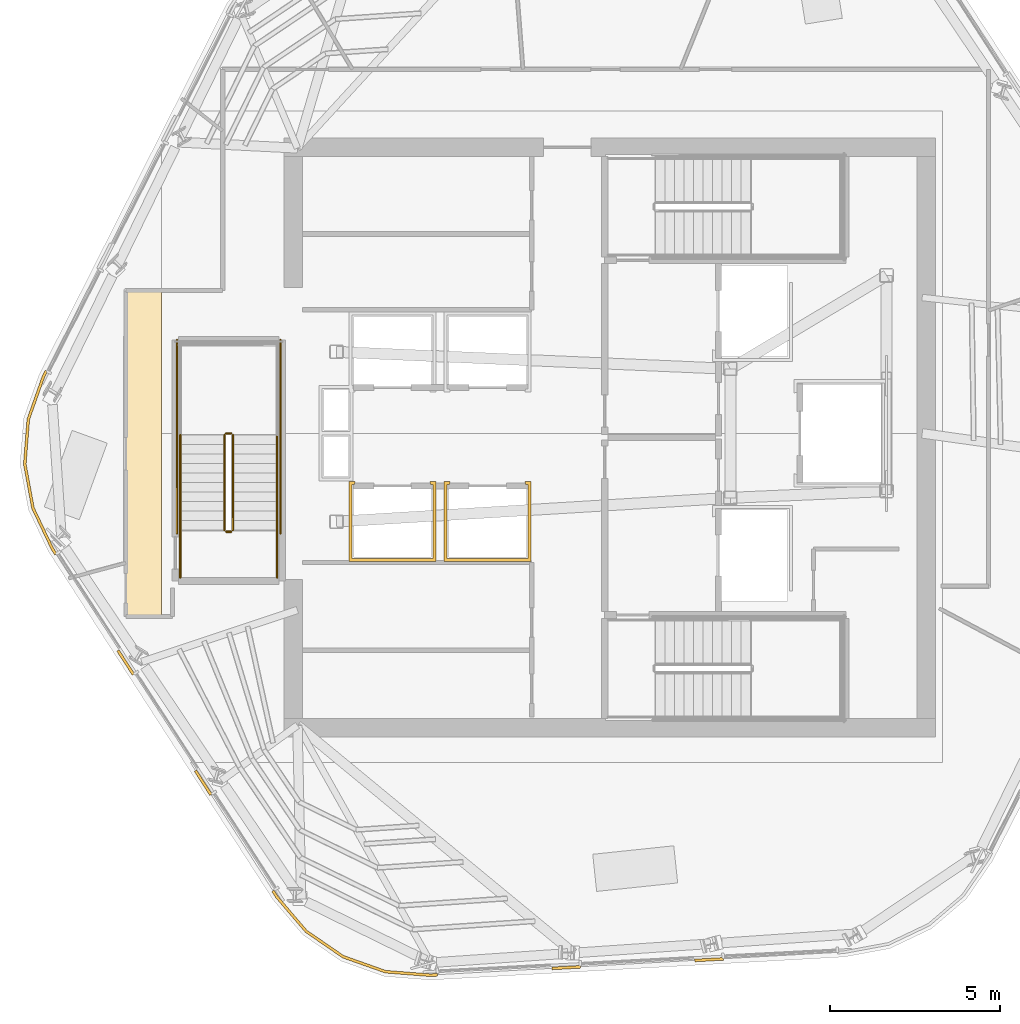
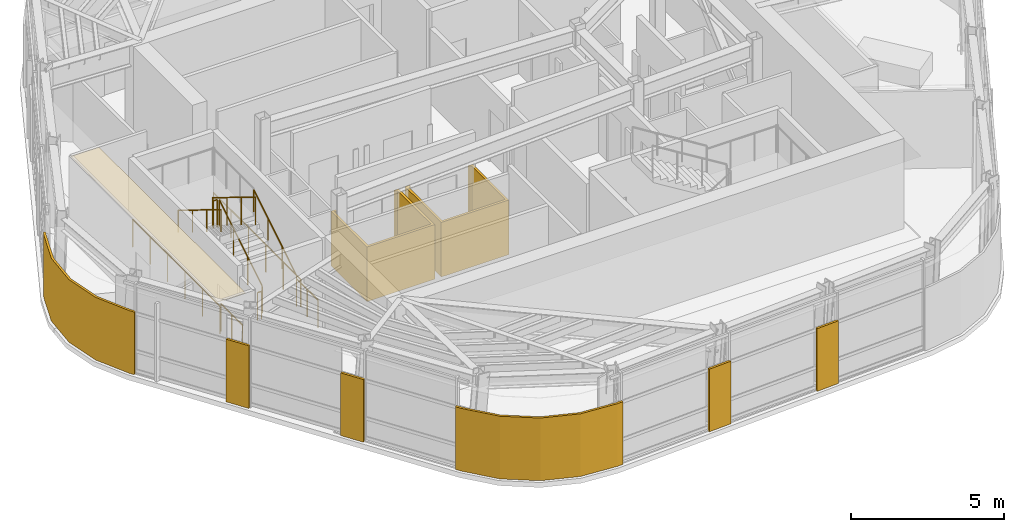
# One storey, part 9 of 13: 10 railings, 9 coverings.
"""IFC4 building model written with IfcOpenShell, lengths in metres."""

import ifcopenshell
import ifcopenshell.guid

model = None  # the IFC model being written
_history = None  # IfcOwnerHistory: only IFC2X3 demands one
_inside = {}  # id of a spatial element -> (the spatial element, [elements in it])
_under = {}  # id of a project, library or spatial element -> (it, [spatial elements below it])
_declared = {}  # id of a project -> (the project, [libraries it declares])
_typed = {}  # id of a type object -> (the type object, [elements of that type])
_made_of = {}  # id of a material, layer set ... -> (it, [elements and type objects made of it])


def new_model(schema):
    """Start an empty IFC model of exactly this schema.

    Asked for "IFC4X3", IfcOpenShell would pick the latest addendum, in which some entities
    have other attributes; the version numbers below select the first issue.
    IFC2X3 requires an IfcOwnerHistory on every rooted entity: one is made here for all.
    """
    global model, _history
    if schema == "IFC4X3":
        model = ifcopenshell.file(schema_version=(4, 3, 0, 0))
    else:
        model = ifcopenshell.file(schema=schema)
    _inside.clear()
    _under.clear()
    _declared.clear()
    _typed.clear()
    _made_of.clear()
    _history = None
    if model.schema == "IFC2X3":
        org = make("IfcOrganization", Name="unknown")
        user = make(
            "IfcPersonAndOrganization",
            ThePerson=make("IfcPerson", FamilyName="unknown"),
            TheOrganization=org,
        )
        app = make(
            "IfcApplication",
            ApplicationDeveloper=org,
            Version="unknown",
            ApplicationFullName="unknown",
            ApplicationIdentifier="unknown",
        )
        _history = make(
            "IfcOwnerHistory",
            OwningUser=user,
            OwningApplication=app,
            ChangeAction="ADDED",
            CreationDate=0,
        )
    return model


def make(cls, **values):
    """One entity of the class cls with the attributes given. An attribute that is None is left unset."""
    return model.create_entity(
        cls, **{name: value for name, value in values.items() if value is not None}
    )


def rooted(cls, **values):
    """An entity with a GlobalId (a new one), such as an element, a storey or a relation."""
    return make(cls, GlobalId=ifcopenshell.guid.new(), OwnerHistory=_history, **values)


def si_unit(unit_type, name, prefix=None):
    """IfcSIUnit, for example si_unit("LENGTHUNIT", "METRE", prefix="MILLI")."""
    return make("IfcSIUnit", UnitType=unit_type, Prefix=prefix, Name=name)


def assignment(units):
    """IfcUnitAssignment: the units of a project."""
    return None if units is None else make("IfcUnitAssignment", Units=units)


def point(xyz):
    """IfcCartesianPoint."""
    return None if xyz is None else make("IfcCartesianPoint", Coordinates=xyz)


def direction(xyz):
    """IfcDirection."""
    return None if xyz is None else make("IfcDirection", DirectionRatios=xyz)


def frame(location, z_axis=None, x_axis=None):
    """IfcAxis2Placement3D, a coordinate frame: its origin and axes. An axis left out is left unset."""
    return make(
        "IfcAxis2Placement3D",
        Location=point(location),
        Axis=direction(z_axis),
        RefDirection=direction(x_axis),
    )


def frame_2d(location, x_axis=None):
    """IfcAxis2Placement2D, a coordinate frame in the plane: its origin and x axis."""
    return make(
        "IfcAxis2Placement2D", Location=point(location), RefDirection=direction(x_axis)
    )


def origin():
    """The frame at (0, 0, 0) with its axes left unset."""
    return frame((0.0, 0.0, 0.0))


def origin_2d():
    """The frame at (0, 0) in the plane with its x axis left unset."""
    return frame_2d((0.0, 0.0))


def place(relative_to, where):
    """IfcLocalPlacement: puts the frame where relative to a parent placement (None: the world)."""
    return make(
        "IfcLocalPlacement", PlacementRelTo=relative_to, RelativePlacement=where
    )


def context(
    kind, dimensions, precision=None, world=None, true_north=None, identifier=None
):
    """IfcGeometricRepresentationContext, for example the 3D "Model" context."""
    return make(
        "IfcGeometricRepresentationContext",
        ContextIdentifier=identifier,
        ContextType=kind,
        CoordinateSpaceDimension=dimensions,
        Precision=precision,
        WorldCoordinateSystem=world,
        TrueNorth=true_north,
    )


def subcontext(parent, identifier, kind, view, scale=None):
    """IfcGeometricRepresentationSubContext, for example "Body" below "Model"."""
    return make(
        "IfcGeometricRepresentationSubContext",
        ContextIdentifier=identifier,
        ContextType=kind,
        ParentContext=parent,
        TargetScale=scale,
        TargetView=view,
    )


def project(units=None, contexts=None):
    """IfcProject with its units and contexts."""
    return rooted(
        "IfcProject",
        Name="project",
        RepresentationContexts=contexts,
        UnitsInContext=assignment(units),
    )


def spatial(cls, under=None, at=None, **own):
    """A site, building, storey or space (cls), placed at a placement, below another one or the project."""
    s = rooted(cls, ObjectPlacement=at, **own)
    if under is not None:
        _under.setdefault(under.id(), (under, []))[1].append(s)
    return s


def polyline(points):
    """IfcPolyline through the points."""
    return make("IfcPolyline", Points=[point(p) for p in points])


def profile(cls, at=None, kind="AREA", **sizes):
    """A parametric profile (cls). Its sizes go by their IFC names, for example OverallWidth=200.0."""
    return make(cls, ProfileType=kind, Position=at, **sizes)


def circle(**sizes):
    """IfcCircleProfileDef."""
    return profile("IfcCircleProfileDef", **sizes)


def outline(outer, holes=None, kind="AREA"):
    """IfcArbitraryClosedProfileDef: a profile drawn as a closed curve; with holes, ...WithVoids."""
    if holes is None:
        return make("IfcArbitraryClosedProfileDef", ProfileType=kind, OuterCurve=outer)
    return make(
        "IfcArbitraryProfileDefWithVoids",
        ProfileType=kind,
        OuterCurve=outer,
        InnerCurves=holes,
    )


def extrude(swept, where, along, depth):
    """IfcExtrudedAreaSolid: the profile swept, set in the frame where, extruded along a direction by depth."""
    return make(
        "IfcExtrudedAreaSolid",
        SweptArea=swept,
        Position=where,
        ExtrudedDirection=direction(along),
        Depth=depth,
    )


def shape(context_of_items, identifier, shape_type, items):
    """IfcShapeRepresentation: the items that make up one representation, for example the "Body"."""
    return make(
        "IfcShapeRepresentation",
        ContextOfItems=context_of_items,
        RepresentationIdentifier=identifier,
        RepresentationType=shape_type,
        Items=items,
    )


def material(Name=None, Category=None):
    """IfcMaterial."""
    return make("IfcMaterial", Name=Name, Category=Category)


def layer(
    of_material, thickness, ventilated=None, Name=None, Category=None, Priority=None
):
    """IfcMaterialLayer: one layer of a wall or slab, of a material (None: an air gap)."""
    return make(
        "IfcMaterialLayer",
        Material=of_material,
        LayerThickness=thickness,
        IsVentilated=ventilated,
        Name=Name,
        Category=Category,
        Priority=Priority,
    )


def layer_set(layers, Name=None):
    """IfcMaterialLayerSet."""
    return make("IfcMaterialLayerSet", MaterialLayers=layers, LayerSetName=Name)


def made_of(thing, what):
    """Note that an element or type object is made of a material, layer set ...; save() writes the relation."""
    if what is not None:
        _made_of.setdefault(what.id(), (what, []))[1].append(thing)
    return thing


def type_object(cls, material=None, **own):
    """A type object (cls), such as IfcWallType, which elements share."""
    return made_of(rooted(cls, **own), material)


def element(
    cls,
    number,
    at=None,
    inside=None,
    cuts=None,
    type_object=None,
    material=None,
    context=None,
    identifier="Body",
    shape_type=None,
    held_by="IfcProductDefinitionShape",
    body=None,
    shapes=None,
    **own,
):
    """One element of the class cls, such as IfcWall. Its Tag is "e" and its number.

    at: its placement. inside: the storey or other place that contains it. cuts: it is an
    opening in that element (IfcRelVoidsElement). A single representation is given by context,
    identifier, shape_type and body (its items); several are given by shapes. held_by: the class
    of the entity that holds the representations. save() writes the other relations.
    """
    e = rooted(cls, Tag="e%d" % number, ObjectPlacement=at, **own)
    if body is not None:
        shapes = [shape(context, identifier, shape_type, body)]
    if shapes is not None:
        e.Representation = make(held_by, Representations=shapes)
    if inside is not None:
        _inside.setdefault(inside.id(), (inside, []))[1].append(e)
    if cuts is not None:
        rooted(
            "IfcRelVoidsElement", RelatingBuildingElement=cuts, RelatedOpeningElement=e
        )
    if type_object is not None:
        _typed.setdefault(type_object.id(), (type_object, []))[1].append(e)
    return made_of(e, material)


def aggregate(whole, parts):
    """IfcRelAggregates: a whole, such as a stair, and the parts it consists of."""
    return rooted("IfcRelAggregates", RelatingObject=whole, RelatedObjects=parts)


def save(model, path):
    """Write the relations noted so far, then the file.

    IfcRelAggregates (storeys below a building ...), IfcRelContainedInSpatialStructure (elements
    in a storey), IfcRelDefinesByType, IfcRelAssociatesMaterial and IfcRelDeclares: one each for
    every whole, place, type object, material and project.
    """
    for whole, parts in _under.values():
        aggregate(whole, parts)
    for where, things in _inside.values():
        rooted(
            "IfcRelContainedInSpatialStructure",
            RelatedElements=things,
            RelatingStructure=where,
        )
    for kind, things in _typed.values():
        rooted("IfcRelDefinesByType", RelatedObjects=things, RelatingType=kind)
    for what, things in _made_of.values():
        rooted("IfcRelAssociatesMaterial", RelatedObjects=things, RelatingMaterial=what)
    for by, libraries in _declared.values():
        rooted("IfcRelDeclares", RelatingContext=by, RelatedDefinitions=libraries)
    model.write(path)


model = new_model("IFC4")

# Units and contexts
model_context = context("Model", 3, precision=1e-05, world=origin(), true_north=direction((0.0, 1.0)))
body_context = subcontext(model_context, "Body", "Model", "MODEL_VIEW")
ifc_project = project(units=[si_unit("LENGTHUNIT", "METRE"), si_unit("AREAUNIT", "SQUARE_METRE"), si_unit("VOLUMEUNIT", "CUBIC_METRE"), si_unit("PLANEANGLEUNIT", "RADIAN"), si_unit("MASSUNIT", "GRAM", prefix="KILO")], contexts=[model_context])

# Site, building, storey
site_placement = place(None, origin())
site = spatial("IfcSite", under=ifc_project, at=site_placement, CompositionType="ELEMENT")
building_placement = place(site_placement, origin())
building = spatial("IfcBuilding", under=site, at=building_placement, Name="Valkerne Bourse Tower", CompositionType="ELEMENT")
storey_placement = place(building_placement, frame((0.0, 0.0, 296.39990234375)))
storey = spatial("IfcBuildingStorey", under=building, at=storey_placement, Name="L75", CompositionType="ELEMENT", Elevation=296.39990234375)

# Coverings
ifc_material_1 = material(Name="Bronze Anodised Aluminium AA 6063-T6", Category="aluminium")
ifc_layer_1 = layer(ifc_material_1, 0.030029296875)
ifc_layer_set_1 = layer_set([ifc_layer_1], Name="Bronze Anodised Aluminium AA 6063-T6")
covering_type_1 = type_object("IfcCoveringType", Name="COV-CEIL-METAL", PredefinedType="CEILING", material=ifc_layer_set_1)
covering_1_placement = place(storey_placement, frame((0.0, 0.0, 3.25)))
element("IfcCovering", 1, at=covering_1_placement, inside=storey, type_object=covering_type_1, Name="L75 Suspended Ceiling 02", PredefinedType="CEILING", context=body_context, shape_type="SweptSolid", body=[
    extrude(outline(polyline([(32.553955078125, 21.60400390625), (32.553955078125, 31.196044921875), (33.60009765625, 31.196044921875), (33.60009765625, 21.60400390625), (32.553955078125, 21.60400390625)])), origin(), (0.0, 0.0, 1.0), 0.025146484375),
])
ifc_layer_2 = layer(ifc_material_1, 0.06005859375)
ifc_layer_set_2 = layer_set([ifc_layer_2], Name="Bronze Anodised Aluminium AA 6063-T6")
covering_type_2 = type_object("IfcCoveringType", Name="COV-CRN-ALUM", PredefinedType="CLADDING", material=ifc_layer_set_2)
covering_2_placement = place(storey_placement, origin())
element("IfcCovering", 2, at=covering_2_placement, inside=storey, type_object=covering_type_2, Name="L75 Wind-Shaped Corner Aluminium Cladding 05", PredefinedType="CLADDING", context=body_context, shape_type="SweptSolid", body=[
    extrude(outline(polyline([(49.30419921875, 11.43359375), (49.300048828125, 11.513427734375), (50.138671875, 11.56005859375), (50.142822265625, 11.480224609375), (49.30419921875, 11.43359375)])), origin(), (0.0, 0.0, 1.0), 2.5),
])
covering_3_placement = place(storey_placement, origin())
element("IfcCovering", 3, at=covering_3_placement, inside=storey, type_object=covering_type_2, Name="L75 Wind-Shaped Corner Aluminium Cladding 06", PredefinedType="CLADDING", context=body_context, shape_type="SweptSolid", body=[
    extrude(outline(polyline([(45.0986328125, 11.19921875), (45.094482421875, 11.279052734375), (45.93310546875, 11.32568359375), (45.937255859375, 11.245849609375), (45.0986328125, 11.19921875)])), origin(), (0.0, 0.0, 1.0), 2.5),
])
covering_4_placement = place(storey_placement, origin())
element("IfcCovering", 4, at=covering_4_placement, inside=storey, type_object=covering_type_2, Name="L75 Wind-Shaped Corner Aluminium Cladding 07", PredefinedType="CLADDING", context=body_context, shape_type="SweptSolid", body=[
    extrude(outline(polyline([(41.515380859375, 10.99951171875), (40.181884765625, 11.1044921875), (38.92724609375, 11.548583984375), (37.830078125, 12.302734375), (36.96142578125, 13.319580078125), (36.843994140625, 13.501953125), (36.9111328125, 13.54541015625), (37.025634765625, 13.36767578125), (37.88427734375, 12.362548828125), (38.9638671875, 11.62060546875), (40.19873046875, 11.183349609375), (41.516357421875, 11.07958984375), (41.7275390625, 11.09130859375), (41.731689453125, 11.011474609375), (41.515380859375, 10.99951171875)])), origin(), (0.0, 0.0, 1.0), 2.5),
])
covering_5_placement = place(storey_placement, origin())
element("IfcCovering", 5, at=covering_5_placement, inside=storey, type_object=covering_type_2, Name="L75 Wind-Shaped Corner Aluminium Cladding 08", PredefinedType="CLADDING", context=body_context, shape_type="SweptSolid", body=[
    extrude(outline(polyline([(34.561767578125, 17.0419921875), (34.62890625, 17.085693359375), (35.083984375, 16.37939453125), (35.016845703125, 16.3359375), (34.561767578125, 17.0419921875)])), origin(), (0.0, 0.0, 1.0), 2.5),
])
covering_6_placement = place(storey_placement, origin())
element("IfcCovering", 6, at=covering_6_placement, inside=storey, type_object=covering_type_2, Name="L75 Wind-Shaped Corner Aluminium Cladding 09", PredefinedType="CLADDING", context=body_context, shape_type="SweptSolid", body=[
    extrude(outline(polyline([(32.279296875, 20.58203125), (32.346435546875, 20.625732421875), (32.801513671875, 19.919677734375), (32.734619140625, 19.876220703125), (32.279296875, 20.58203125)])), origin(), (0.0, 0.0, 1.0), 2.5),
])
covering_7_placement = place(storey_placement, origin())
element("IfcCovering", 7, at=covering_7_placement, inside=storey, type_object=covering_type_2, Name="L75 Wind-Shaped Corner Aluminium Cladding 10", PredefinedType="CLADDING", context=body_context, shape_type="SweptSolid", body=[
    extrude(outline(polyline([(30.34765625, 23.578369140625), (29.771484375, 24.785888671875), (29.529052734375, 26.094970703125), (29.633544921875, 27.421875), (30.080078125, 28.68310546875), (30.1669921875, 28.85546875), (30.23828125, 28.819091796875), (30.15380859375, 28.651611328125), (29.71240234375, 27.4052734375), (29.609619140625, 26.09912109375), (29.848388671875, 24.810791015625), (30.41748046875, 23.617431640625), (30.519287109375, 23.459716796875), (30.4521484375, 23.416259765625), (30.34765625, 23.578369140625)])), origin(), (0.0, 0.0, 1.0), 2.5),
])
ifc_material_2 = material(Name="Gypsum Shaftwall Liner Board", Category="gypsum")
ifc_layer_3 = layer(ifc_material_2, 0.080078125)
ifc_layer_set_3 = layer_set([ifc_layer_3], Name="Gypsum Shaftwall Liner Board")
covering_type_3 = type_object("IfcCoveringType", Name="COV-SHF-CLAD", PredefinedType="CLADDING", material=ifc_layer_set_3)
covering_8_placement = place(storey_placement, origin())
element("IfcCovering", 8, at=covering_8_placement, inside=storey, type_object=covering_type_3, Name="L75 Hoistway & Riser Shaftwall Liner 02", PredefinedType="CLADDING", context=body_context, shape_type="SweptSolid", body=[
    extrude(outline(polyline([(39.29931640625, 25.580078125), (39.28857421875, 25.537841796875), (39.2822265625, 25.494140625), (39.281982421875, 25.489990234375), (39.2099609375, 25.489990234375), (39.2099609375, 23.31005859375), (41.590087890625, 23.31005859375), (41.590087890625, 25.489990234375), (41.51806640625, 25.489990234375), (41.517822265625, 25.494140625), (41.511474609375, 25.537841796875), (41.500732421875, 25.580078125), (41.679931640625, 25.580078125), (41.679931640625, 23.219970703125), (39.1201171875, 23.219970703125), (39.1201171875, 25.580078125), (39.29931640625, 25.580078125)])), origin(), (0.0, 0.0, 1.0), 2.18017578125),
])
covering_9_placement = place(storey_placement, origin())
element("IfcCovering", 9, at=covering_9_placement, inside=storey, type_object=covering_type_3, Name="L75 Hoistway & Riser Shaftwall Liner 03", PredefinedType="CLADDING", context=body_context, shape_type="SweptSolid", body=[
    extrude(outline(polyline([(42.09912109375, 25.580078125), (42.088623046875, 25.537841796875), (42.082275390625, 25.494140625), (42.08203125, 25.489990234375), (42.010009765625, 25.489990234375), (42.010009765625, 23.31005859375), (44.389892578125, 23.31005859375), (44.389892578125, 25.489990234375), (44.318115234375, 25.489990234375), (44.31787109375, 25.494140625), (44.311279296875, 25.537841796875), (44.30078125, 25.580078125), (44.47998046875, 25.580078125), (44.47998046875, 23.219970703125), (41.919921875, 23.219970703125), (41.919921875, 25.580078125), (42.09912109375, 25.580078125)])), origin(), (0.0, 0.0, 1.0), 2.18017578125),
])

# Railings
ifc_material_3 = material(Name="Galvanised Painted Steel", Category="steel")
railing_type_1 = type_object("IfcRailingType", Name="RLG-ST-GUARD-1120", PredefinedType="GUARDRAIL", material=ifc_material_3)
railing_1_placement = place(storey_placement, frame((35.699951171875, 24.14990234375, 0.1728515625)))
element("IfcRailing", 10, at=railing_1_placement, inside=storey, type_object=railing_type_1, Name="L75 ST-3 stair guard 1", PredefinedType="GUARDRAIL", context=body_context, shape_type="SweptSolid", body=[
    extrude(circle(Radius=0.02392578125, at=origin_2d()), frame((0.0, 0.0, 1.09619140625), z_axis=(0.0, 0.851089632645, 0.525020415988), x_axis=(-1.0, 0.0, 0.0)), (0.0, 0.0, 1.0), 3.2900390625),
    extrude(circle(Radius=0.02099609375, at=origin_2d()), origin(), (0.0, 0.0, 1.0), 1.072021484375),
    extrude(circle(Radius=0.02099609375, at=origin_2d()), frame((0.0, 0.933349609375, 0.57568359375)), (0.0, 0.0, 1.0), 1.072021484375),
    extrude(circle(Radius=0.02099609375, at=origin_2d()), frame((0.0, 1.86669921875, 1.151611328125)), (0.0, 0.0, 1.0), 1.072021484375),
    extrude(circle(Radius=0.02099609375, at=origin_2d()), frame((0.0, 2.800048828125, 1.727294921875)), (0.0, 0.0, 1.0), 1.072021484375),
])
railing_2_placement = place(storey_placement, frame((35.64990234375, 27.0, 1.900146484375)))
element("IfcRailing", 11, at=railing_2_placement, inside=storey, type_object=railing_type_1, Name="L75 ST-3 stair guard 2", PredefinedType="GUARDRAIL", context=body_context, shape_type="SweptSolid", body=[
    extrude(circle(Radius=0.02392578125, at=origin_2d()), frame((0.0, 0.0, 1.09619140625), z_axis=(-1.0, 0.0, 0.0), x_axis=(0.0, -1.0, 0.0)), (0.0, 0.0, 1.0), 0.14990234375),
    extrude(circle(Radius=0.02099609375, at=origin_2d()), origin(), (0.0, 0.0, 1.0), 1.072021484375),
    extrude(circle(Radius=0.02099609375, at=origin_2d()), frame((-0.14990234375, 0.0, 0.0)), (0.0, 0.0, 1.0), 1.072021484375),
])
railing_3_placement = place(storey_placement, frame((35.449951171875, 26.949951171875, 2.07275390625)))
element("IfcRailing", 12, at=railing_3_placement, inside=storey, type_object=railing_type_1, Name="L75 ST-3 stair guard 6", PredefinedType="GUARDRAIL", context=body_context, shape_type="SweptSolid", body=[
    extrude(circle(Radius=0.02392578125, at=origin_2d()), frame((0.0, 0.0, 1.09619140625), z_axis=(0.0, -0.851089632645, 0.525020415988), x_axis=(1.0, 0.0, 0.0)), (0.0, 0.0, 1.0), 3.2900390625),
    extrude(circle(Radius=0.02099609375, at=origin_2d()), origin(), (0.0, 0.0, 1.0), 1.072021484375),
    extrude(circle(Radius=0.02099609375, at=origin_2d()), frame((0.0, -0.933349609375, 0.57568359375)), (0.0, 0.0, 1.0), 1.072021484375),
    extrude(circle(Radius=0.02099609375, at=origin_2d()), frame((0.0, -1.86669921875, 1.151611328125)), (0.0, 0.0, 1.0), 1.072021484375),
    extrude(circle(Radius=0.02099609375, at=origin_2d()), frame((0.0, -2.800048828125, 1.727294921875)), (0.0, 0.0, 1.0), 1.072021484375),
])
railing_4_placement = place(storey_placement, frame((35.64990234375, 24.10009765625, 0.0)))
element("IfcRailing", 13, at=railing_4_placement, inside=storey, type_object=railing_type_1, Name="L75 ST-3 stair guard 7", PredefinedType="GUARDRAIL", context=body_context, shape_type="SweptSolid", body=[
    extrude(circle(Radius=0.02392578125, at=origin_2d()), frame((0.0, 0.0, 1.09619140625), z_axis=(-1.0, 0.0, 0.0), x_axis=(0.0, -1.0, 0.0)), (0.0, 0.0, 1.0), 0.14990234375),
    extrude(circle(Radius=0.02099609375, at=origin_2d()), origin(), (0.0, 0.0, 1.0), 1.072021484375),
    extrude(circle(Radius=0.02099609375, at=origin_2d()), frame((-0.14990234375, 0.0, 0.0)), (0.0, 0.0, 1.0), 1.072021484375),
])
for number, where, name in (
    (14, (37.0, 22.75, 0.0), "L75 ST-3 stair guard 8"),
    (15, (34.14990234375, 22.75, 0.0), "L75 ST-3 stair guard 9"),
):
    element("IfcRailing", number, at=place(storey_placement, frame(where)), inside=storey, type_object=railing_type_1, Name=name, PredefinedType="GUARDRAIL", context=body_context, shape_type="SweptSolid", body=[
        extrude(circle(Radius=0.02392578125, at=origin_2d()), frame((0.0, 0.0, 1.09619140625), z_axis=(0.0, 1.0, 0.0), x_axis=(-1.0, 0.0, 0.0)), (0.0, 0.0, 1.0), 1.39990234375),
        extrude(circle(Radius=0.02099609375, at=origin_2d()), origin(), (0.0, 0.0, 1.0), 1.072021484375),
        extrude(circle(Radius=0.02099609375, at=origin_2d()), frame((0.0, 0.699951171875, 0.0)), (0.0, 0.0, 1.0), 1.072021484375),
        extrude(circle(Radius=0.02099609375, at=origin_2d()), frame((0.0, 1.39990234375, 0.0)), (0.0, 0.0, 1.0), 1.072021484375),
    ])
for number, where, name in (
    (16, (37.10009765625, 24.050048828125, 0.0), "L75 ST-3 stair guard 10"),
    (17, (34.050048828125, 24.050048828125, 0.0), "L75 ST-3 stair guard 11"),
):
    element("IfcRailing", number, at=place(storey_placement, frame(where)), inside=storey, type_object=railing_type_1, Name=name, PredefinedType="GUARDRAIL", context=body_context, shape_type="SweptSolid", body=[
        extrude(circle(Radius=0.02392578125, at=origin_2d()), frame((0.0, 0.0, 1.09619140625), z_axis=(0.0, 1.0, 0.0), x_axis=(-1.0, 0.0, 0.0)), (0.0, 0.0, 1.0), 5.699951171875),
        extrude(circle(Radius=0.02099609375, at=origin_2d()), origin(), (0.0, 0.0, 1.0), 1.072021484375),
        extrude(circle(Radius=0.02099609375, at=origin_2d()), frame((0.0, 1.139892578125, 0.0)), (0.0, 0.0, 1.0), 1.072021484375),
        extrude(circle(Radius=0.02099609375, at=origin_2d()), frame((0.0, 2.280029296875, 0.0)), (0.0, 0.0, 1.0), 1.072021484375),
        extrude(circle(Radius=0.02099609375, at=origin_2d()), frame((0.0, 3.419921875, 0.0)), (0.0, 0.0, 1.0), 1.072021484375),
        extrude(circle(Radius=0.02099609375, at=origin_2d()), frame((0.0, 4.56005859375, 0.0)), (0.0, 0.0, 1.0), 1.072021484375),
        extrude(circle(Radius=0.02099609375, at=origin_2d()), frame((0.0, 5.699951171875, 0.0)), (0.0, 0.0, 1.0), 1.072021484375),
    ])
ifc_material_4 = material(Name="Stainless Steel AISI 316", Category="steel")
railing_type_2 = type_object("IfcRailingType", Name="RLG-ST-HANDRAIL-900", PredefinedType="HANDRAIL", material=ifc_material_4)
railing_5_placement = place(storey_placement, frame((37.0, 24.14990234375, 0.345458984375)))
element("IfcRailing", 18, at=railing_5_placement, inside=storey, type_object=railing_type_2, Name="L75 ST-3 stair handrail 1", PredefinedType="HANDRAIL", context=body_context, shape_type="SweptSolid", body=[
    extrude(circle(Radius=0.02392578125, at=origin_2d()), frame((0.0, 0.0, 0.8759765625), z_axis=(0.0, 0.851089632645, 0.525020415988), x_axis=(-1.0, 0.0, 0.0)), (0.0, 0.0, 1.0), 3.2900390625),
    extrude(circle(Radius=0.02099609375, at=origin_2d()), origin(), (0.0, 0.0, 1.0), 0.851806640625),
    extrude(circle(Radius=0.02099609375, at=origin_2d()), frame((0.0, 0.933349609375, 0.57568359375)), (0.0, 0.0, 1.0), 0.851806640625),
    extrude(circle(Radius=0.02099609375, at=origin_2d()), frame((0.0, 1.86669921875, 1.151611328125)), (0.0, 0.0, 1.0), 0.851806640625),
    extrude(circle(Radius=0.02099609375, at=origin_2d()), frame((0.0, 2.800048828125, 1.727294921875)), (0.0, 0.0, 1.0), 0.851806640625),
])
railing_6_placement = place(storey_placement, frame((34.14990234375, 26.949951171875, 2.24560546875)))
element("IfcRailing", 19, at=railing_6_placement, inside=storey, type_object=railing_type_2, Name="L75 ST-3 stair handrail 2", PredefinedType="HANDRAIL", context=body_context, shape_type="SweptSolid", body=[
    extrude(circle(Radius=0.02392578125, at=origin_2d()), frame((0.0, 0.0, 0.8759765625), z_axis=(0.0, -0.851089632645, 0.525020415988), x_axis=(1.0, 0.0, 0.0)), (0.0, 0.0, 1.0), 3.2900390625),
    extrude(circle(Radius=0.02099609375, at=origin_2d()), origin(), (0.0, 0.0, 1.0), 0.851806640625),
    extrude(circle(Radius=0.02099609375, at=origin_2d()), frame((0.0, -0.933349609375, 0.57568359375)), (0.0, 0.0, 1.0), 0.851806640625),
    extrude(circle(Radius=0.02099609375, at=origin_2d()), frame((0.0, -1.86669921875, 1.151611328125)), (0.0, 0.0, 1.0), 0.851806640625),
    extrude(circle(Radius=0.02099609375, at=origin_2d()), frame((0.0, -2.800048828125, 1.727294921875)), (0.0, 0.0, 1.0), 0.851806640625),
])

save(model, "model.ifc")
